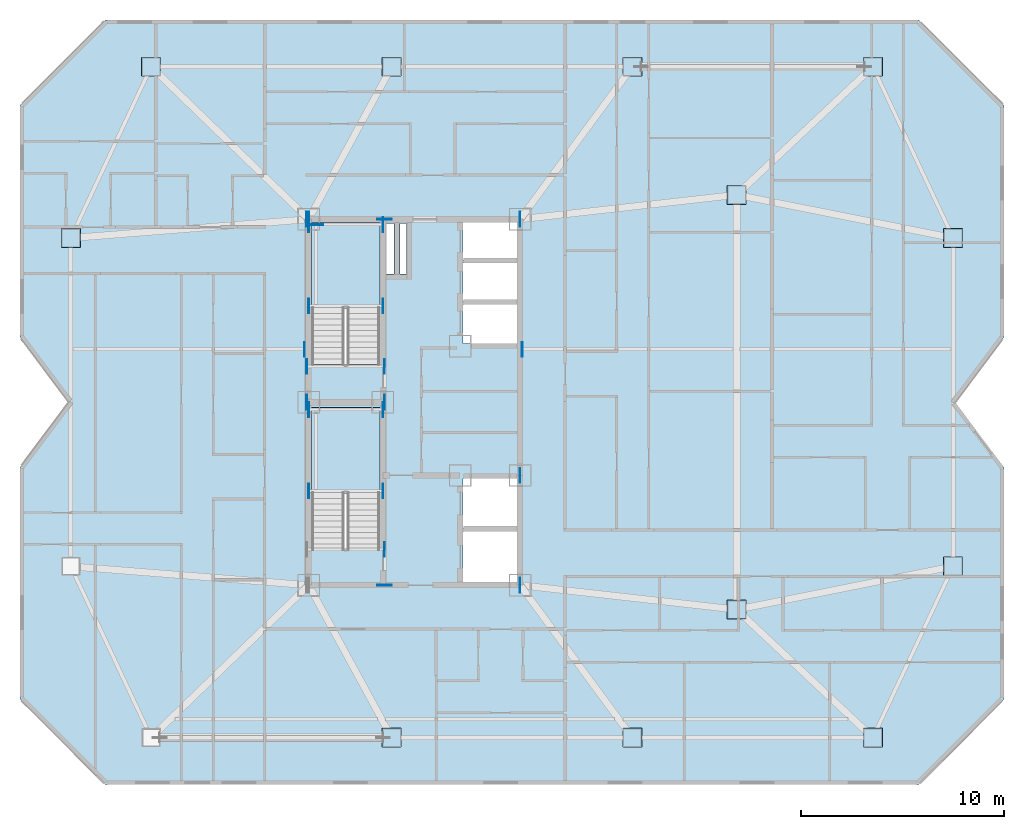
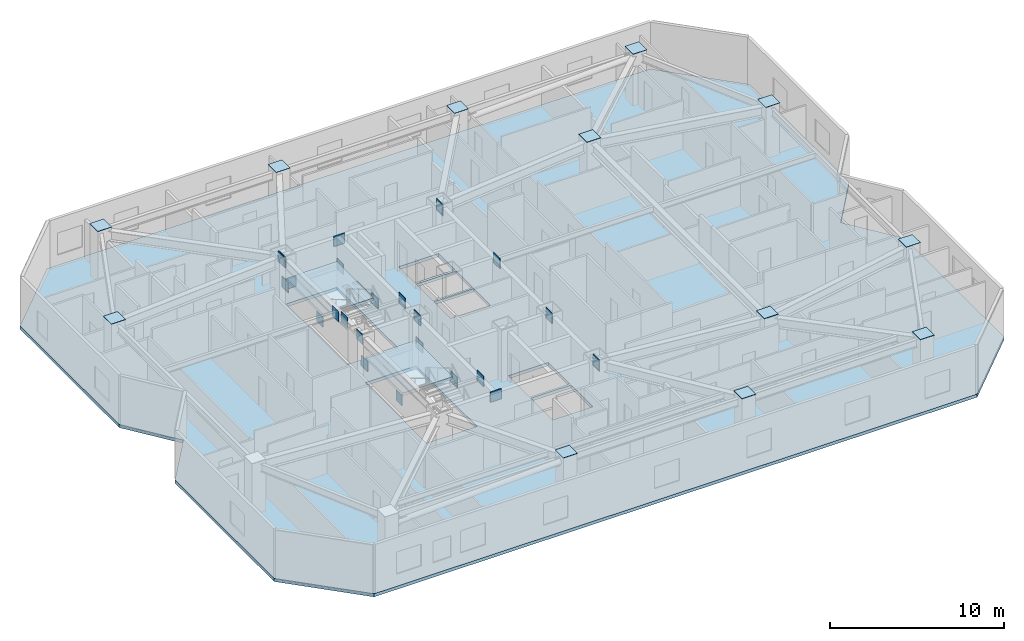
# One storey, part 2 of 13: 37 plates, 3 slabs, 2 elements without a shape of their own.
"""IFC4 building model written with IfcOpenShell, lengths in metres."""

from ifc_helpers import new_model, si_unit, direction, frame, origin, origin_2d, place, context, subcontext, project, spatial, polyline, rectangle, outline, extrude, material, layer, layer_set, type_object, element, aggregate, save


model = new_model("IFC4")

# Units and contexts
model_context = context("Model", 3, precision=1e-05, world=origin(), true_north=direction((0.0, 1.0)))
body_context = subcontext(model_context, "Body", "Model", "MODEL_VIEW")
ifc_project = project(units=[si_unit("LENGTHUNIT", "METRE"), si_unit("AREAUNIT", "SQUARE_METRE"), si_unit("VOLUMEUNIT", "CUBIC_METRE"), si_unit("PLANEANGLEUNIT", "RADIAN"), si_unit("MASSUNIT", "GRAM", prefix="KILO")], contexts=[model_context])

# Site, building, storey
site_placement = place(None, origin())
site = spatial("IfcSite", under=ifc_project, at=site_placement, CompositionType="ELEMENT")
building_placement = place(site_placement, origin())
building = spatial("IfcBuilding", under=site, at=building_placement, Name="Khamvora Tower", CompositionType="ELEMENT")
storey_placement = place(building_placement, frame((0.0, 0.0, 196.050048828125)))
storey = spatial("IfcBuildingStorey", under=building, at=storey_placement, Name="L50", CompositionType="ELEMENT", Elevation=196.050048828125)

# Plates
ifc_material_1 = material(Name="Steel S355", Category="steel")
ifc_layer_1 = layer(ifc_material_1, 0.02490234375)
ifc_layer_set_1 = layer_set([ifc_layer_1], Name="Steel S355")
plate_type_1 = type_object("IfcPlateType", Name="PL-CAP-25", PredefinedType="SHEET", material=ifc_layer_set_1)
for number, where, z_axis, x_axis, name in (
    (1, (33.080078125, 11.5, 3.62548828125), (0.0, 0.0, 1.0), (1.0, 0.0, 0.0), "L50 hollow section steel end cap plate 0192"),
    (2, (44.919921875, 11.5, 3.62548828125), (0.0, 0.0, 1.0), (1.0, 0.0, 0.0), "L50 hollow section steel end cap plate 0195"),
    (3, (56.75, 11.5, 3.62548828125), (0.0, 0.0, 1.0), (1.0, 0.0, 0.0), "L50 hollow section steel end cap plate 0198"),
    (4, (21.25, 44.5, 3.62548828125), (0.0, 0.0, 1.0), (1.0, 0.0, 0.0), "L50 hollow section steel end cap plate 0201"),
    (5, (33.080078125, 44.5, 3.62548828125), (0.0, 0.0, 1.0), (1.0, 0.0, 0.0), "L50 hollow section steel end cap plate 0204"),
    (6, (44.919921875, 44.5, 3.62548828125), (0.0, 0.0, 1.0), (1.0, 0.0, 0.0), "L50 hollow section steel end cap plate 0207"),
    (7, (56.75, 44.5, 3.62548828125), (0.0, 0.0, 1.0), (1.0, 0.0, 0.0), "L50 hollow section steel end cap plate 0210"),
    (8, (17.300048828125, 36.080078125, 3.62548828125), (0.0, 0.0, 1.0), (1.0, 0.0, 0.0), "L50 hollow section steel end cap plate 0216"),
    (9, (60.699951171875, 19.929931640625, 3.62548828125), (0.0, 0.0, 1.0), (1.0, 0.0, 0.0), "L50 hollow section steel end cap plate 0219"),
    (10, (60.699951171875, 36.080078125, 3.62548828125), (0.0, 0.0, 1.0), (1.0, 0.0, 0.0), "L50 hollow section steel end cap plate 0222"),
    (11, (50.050048828125, 17.800048828125, 3.62548828125), (0.0, 0.0, 1.0), (1.0, 0.0, 0.0), "L50 hollow section steel end cap plate 0225"),
    (12, (50.050048828125, 38.199951171875, 3.62548828125), (0.0, 0.0, 1.0), (1.0, 0.0, 0.0), "L50 hollow section steel end cap plate 0228"),
):
    element("IfcPlate", number, at=place(storey_placement, frame(where, z_axis=z_axis, x_axis=x_axis)), inside=storey, type_object=plate_type_1, Name=name, PredefinedType="SHEET", context=body_context, shape_type="SweptSolid", body=[
        extrude(rectangle(XDim=0.929931640625, YDim=0.929931640625, at=origin_2d()), origin(), (0.0, 0.0, 1.0), 0.02490234375),
    ])
ifc_material_2 = material(Name="Steel S460", Category="steel")
ifc_layer_2 = layer(ifc_material_2, 0.034912109375)
ifc_layer_set_2 = layer_set([ifc_layer_2], Name="Steel S460")
plate_type_2 = type_object("IfcPlateType", Name="PL-EMB-35", PredefinedType="SHEET", material=ifc_layer_set_2)
for number, where, z_axis, x_axis, name in (
    (13, (29.0, 23.635009765625, 1.1337890625), (0.0, 0.0, 1.0), (1.0, 0.0, 0.0), "L50 core shear wall cast-in embed plate 1450"),
    (14, (32.64990234375, 23.635009765625, 1.1337890625), (0.0, 0.0, 1.0), (1.0, 0.0, 0.0), "L50 core shear wall cast-in embed plate 1451"),
    (15, (29.0, 27.6298828125, 1.1337890625), (0.0, 0.0, 1.0), (1.0, 0.0, 0.0), "L50 core shear wall cast-in embed plate 1452"),
    (16, (32.64990234375, 27.6298828125, 1.1337890625), (0.0, 0.0, 1.0), (1.0, 0.0, 0.0), "L50 core shear wall cast-in embed plate 1453"),
    (17, (29.0, 32.735107421875, 1.1337890625), (0.0, 0.0, 1.0), (1.0, 0.0, 0.0), "L50 core shear wall cast-in embed plate 1454"),
    (18, (32.64990234375, 32.735107421875, 1.1337890625), (0.0, 0.0, 1.0), (1.0, 0.0, 0.0), "L50 core shear wall cast-in embed plate 1455"),
    (19, (29.0, 36.72998046875, 1.1337890625), (0.0, 0.0, 1.0), (1.0, 0.0, 0.0), "L50 core shear wall cast-in embed plate 1456"),
    (20, (32.64990234375, 36.72998046875, 1.1337890625), (0.0, 0.0, 1.0), (1.0, 0.0, 0.0), "L50 core shear wall cast-in embed plate 1457"),
):
    element("IfcPlate", number, at=place(storey_placement, frame(where, z_axis=z_axis, x_axis=x_axis)), inside=storey, type_object=plate_type_2, Name=name, PredefinedType="SHEET", context=body_context, shape_type="SweptSolid", body=[
        extrude(rectangle(XDim=0.034912109375, YDim=0.719970703125, at=origin_2d()), origin(), (0.0, 0.0, 1.0), 0.719970703125),
    ])
plate_1_placement = place(storey_placement, frame((29.35009765625, 36.72998046875, 1.1337890625), z_axis=(0.0, 0.0, 1.0), x_axis=(1.0, 0.0, 0.0)))
element("IfcPlate", 21, at=plate_1_placement, inside=storey, type_object=plate_type_2, Name="L50 core shear wall cast-in embed plate 1458", PredefinedType="SHEET", context=body_context, shape_type="SweptSolid", body=[
    extrude(rectangle(XDim=0.719970703125, YDim=0.034912109375, at=origin_2d()), origin(), (0.0, 0.0, 1.0), 0.719970703125),
])
for number, where, z_axis, x_axis, name in (
    (22, (39.39990234375, 19.0, 2.72216796875), (0.0, 0.0, 1.0), (1.0, 0.0, 0.0), "L50 core shear wall cast-in embed plate 1460"),
    (23, (29.0, 37.0, 2.72216796875), (0.0, 0.0, 1.0), (1.0, 0.0, 0.0), "L50 core shear wall cast-in embed plate 1461"),
    (24, (39.39990234375, 37.0, 2.72216796875), (0.0, 0.0, 1.0), (1.0, 0.0, 0.0), "L50 core shear wall cast-in embed plate 1462"),
    (25, (28.89990234375, 28.0, 2.802734375), (0.0, 0.0, 1.0), (1.0, 0.0, 0.0), "L50 core shear wall cast-in embed plate 1464"),
    (26, (28.89990234375, 37.0, 2.802734375), (0.0, 0.0, 1.0), (1.0, 0.0, 0.0), "L50 core shear wall cast-in embed plate 1465"),
):
    element("IfcPlate", number, at=place(storey_placement, frame(where, z_axis=z_axis, x_axis=x_axis)), inside=storey, type_object=plate_type_2, Name=name, PredefinedType="SHEET", context=body_context, shape_type="SweptSolid", body=[
        extrude(rectangle(XDim=0.034912109375, YDim=0.719970703125, at=origin_2d()), origin(), (0.0, 0.0, 1.0), 0.719970703125),
    ])
plate_2_placement = place(storey_placement, frame((32.72998046875, 19.0, 2.802734375), z_axis=(0.0, 0.0, 1.0), x_axis=(1.0, 0.0, 0.0)))
element("IfcPlate", 27, at=plate_2_placement, inside=storey, type_object=plate_type_2, Name="L50 core shear wall cast-in embed plate 1466", PredefinedType="SHEET", context=body_context, shape_type="SweptSolid", body=[
    extrude(rectangle(XDim=0.719970703125, YDim=0.034912109375, at=origin_2d()), origin(), (0.0, 0.0, 1.0), 0.719970703125),
])
plate_3_placement = place(storey_placement, frame((32.72998046875, 28.0, 2.802734375), z_axis=(0.0, 0.0, 1.0), x_axis=(1.0, 0.0, 0.0)))
element("IfcPlate", 28, at=plate_3_placement, inside=storey, type_object=plate_type_2, Name="L50 core shear wall cast-in embed plate 1467", PredefinedType="SHEET", context=body_context, shape_type="SweptSolid", body=[
    extrude(rectangle(XDim=0.034912109375, YDim=0.719970703125, at=origin_2d()), origin(), (0.0, 0.0, 1.0), 0.719970703125),
])
plate_4_placement = place(storey_placement, frame((32.72998046875, 37.0, 2.802734375), z_axis=(0.0, 0.0, 1.0), x_axis=(1.0, 0.0, 0.0)))
element("IfcPlate", 29, at=plate_4_placement, inside=storey, type_object=plate_type_2, Name="L50 core shear wall cast-in embed plate 1468", PredefinedType="SHEET", context=body_context, shape_type="SweptSolid", body=[
    extrude(rectangle(XDim=0.719970703125, YDim=0.034912109375, at=origin_2d()), origin(), (0.0, 0.0, 1.0), 0.719970703125),
])
for number, where, z_axis, x_axis, name in (
    (30, (39.39990234375, 19.0, 2.802734375), (0.0, 0.0, 1.0), (1.0, 0.0, 0.0), "L50 core shear wall cast-in embed plate 1469"),
    (31, (39.39990234375, 24.39990234375, 2.802734375), (0.0, 0.0, 1.0), (1.0, 0.0, 0.0), "L50 core shear wall cast-in embed plate 1470"),
    (32, (39.39990234375, 37.0, 2.802734375), (0.0, 0.0, 1.0), (1.0, 0.0, 0.0), "L50 core shear wall cast-in embed plate 1471"),
    (33, (32.72998046875, 20.75, 2.94384765625), (0.0, 0.0, 1.0), (1.0, 0.0, 0.0), "L50 core shear wall cast-in embed plate 1473"),
    (34, (28.89990234375, 29.75, 2.94384765625), (0.0, 0.0, 1.0), (1.0, 0.0, 0.0), "L50 core shear wall cast-in embed plate 1474"),
    (35, (32.72998046875, 29.75, 2.94384765625), (0.0, 0.0, 1.0), (1.0, 0.0, 0.0), "L50 core shear wall cast-in embed plate 1475"),
    (36, (28.800048828125, 30.60009765625, 2.86572265625), (0.0, 0.0, 1.0), (1.0, 0.0, 0.0), "L50 core shear wall cast-in embed plate 1476"),
    (37, (39.4990234375, 30.60009765625, 2.86572265625), (0.0, 0.0, 1.0), (1.0, 0.0, 0.0), "L50 core shear wall cast-in embed plate 1477"),
):
    element("IfcPlate", number, at=place(storey_placement, frame(where, z_axis=z_axis, x_axis=x_axis)), inside=storey, type_object=plate_type_2, Name=name, PredefinedType="SHEET", context=body_context, shape_type="SweptSolid", body=[
        extrude(rectangle(XDim=0.034912109375, YDim=0.719970703125, at=origin_2d()), origin(), (0.0, 0.0, 1.0), 0.719970703125),
    ])

# Stair, slab
ifc_material_3 = material(Name="Concrete C40/50", Category="concrete")
stair_type_1 = type_object("IfcStairType", Name="STR-ST-01", PredefinedType="HALF_TURN_STAIR", material=ifc_material_3)
stair_1_placement = place(storey_placement, origin())
stair_1 = element("IfcStair", 38, at=stair_1_placement, inside=storey, type_object=stair_type_1, Name="L50 South Tower Exit Stair ST-01", PredefinedType="HALF_TURN_STAIR")
ifc_layer_3 = layer(ifc_material_3, 0.199951171875)
ifc_layer_set_3 = layer_set([ifc_layer_3], Name="Concrete C40/50")
slab_type_1 = type_object("IfcSlabType", Name="SLB-LND-200", PredefinedType="LANDING", material=ifc_layer_set_3)
slab_1_placement = place(storey_placement, frame((0.0, 0.0, 1.625)))
slab_1 = element("IfcSlab", 39, at=slab_1_placement, type_object=slab_type_1, Name="ST-01 landing 1", PredefinedType="LANDING", context=body_context, shape_type="SweptSolid", body=[
    extrude(outline(polyline([(32.5, 23.514892578125), (32.5, 27.75), (29.14990234375, 27.75), (29.14990234375, 23.514892578125), (32.5, 23.514892578125)])), origin(), (0.0, 0.0, 1.0), 0.199951171875),
])
aggregate(stair_1, [slab_1])

stair_type_2 = type_object("IfcStairType", Name="STR-ST-02", PredefinedType="HALF_TURN_STAIR", material=ifc_material_3)
stair_2_placement = place(storey_placement, origin())
stair_2 = element("IfcStair", 40, at=stair_2_placement, inside=storey, type_object=stair_type_2, Name="L50 North Tower Exit Stair ST-02", PredefinedType="HALF_TURN_STAIR")
slab_2_placement = place(storey_placement, frame((0.0, 0.0, 1.625)))
slab_2 = element("IfcSlab", 41, at=slab_2_placement, type_object=slab_type_1, Name="ST-02 landing 1", PredefinedType="LANDING", context=body_context, shape_type="SweptSolid", body=[
    extrude(outline(polyline([(32.5, 32.614990234375), (32.5, 36.85009765625), (29.14990234375, 36.85009765625), (29.14990234375, 32.614990234375), (32.5, 32.614990234375)])), origin(), (0.0, 0.0, 1.0), 0.199951171875),
])
aggregate(stair_2, [slab_2])

# Slab
ifc_material_4 = material(Name="Concrete C35/45", Category="concrete")
ifc_layer_4 = layer(ifc_material_4, 0.219970703125)
ifc_layer_set_4 = layer_set([ifc_layer_4], Name="Concrete C35/45")
slab_type_2 = type_object("IfcSlabType", Name="SLB-TYP-220", PredefinedType="FLOOR", material=ifc_layer_set_4)
slab_3_placement = place(storey_placement, frame((0.0, 0.0, -0.219970703125)))
element("IfcSlab", 42, at=slab_3_placement, inside=storey, type_object=slab_type_2, Name="L50 structural floor slab", PredefinedType="FLOOR", context=body_context, shape_type="SweptSolid", body=[
    extrude(outline(polyline([(19.0, 9.199951171875), (59.0, 9.199951171875), (63.199951171875, 13.39990234375), (63.199951171875, 24.800048828125), (60.800048828125, 28.0), (63.199951171875, 31.199951171875), (63.199951171875, 42.60009765625), (59.0, 46.800048828125), (19.0, 46.800048828125), (14.800048828125, 42.60009765625), (14.800048828125, 31.199951171875), (17.199951171875, 28.0), (14.800048828125, 24.800048828125), (14.800048828125, 13.39990234375), (19.0, 9.199951171875)]), holes=[polyline([(32.5, 20.760009765625), (32.5, 27.75), (29.14990234375, 27.75), (29.14990234375, 20.760009765625), (32.5, 20.760009765625)]), polyline([(32.5, 29.860107421875), (32.5, 36.85009765625), (29.14990234375, 36.85009765625), (29.14990234375, 29.860107421875), (32.5, 29.860107421875)]), polyline([(36.60009765625, 19.14990234375), (39.25, 19.14990234375), (39.25, 21.64990234375), (36.60009765625, 21.64990234375), (36.60009765625, 19.14990234375)]), polyline([(36.60009765625, 21.800048828125), (39.25, 21.800048828125), (39.25, 24.25), (36.60009765625, 24.25), (36.60009765625, 21.800048828125)]), polyline([(36.60009765625, 30.89990234375), (39.25, 30.89990234375), (39.25, 32.800048828125), (36.60009765625, 32.800048828125), (36.60009765625, 30.89990234375)]), polyline([(36.60009765625, 32.949951171875), (39.25, 32.949951171875), (39.25, 34.85009765625), (36.60009765625, 34.85009765625), (36.60009765625, 32.949951171875)]), polyline([(36.60009765625, 35.0), (39.25, 35.0), (39.25, 36.85009765625), (36.60009765625, 36.85009765625), (36.60009765625, 35.0)]), polyline([(32.800048828125, 34.300048828125), (33.199951171875, 34.300048828125), (33.199951171875, 36.800048828125), (32.800048828125, 36.800048828125), (32.800048828125, 34.300048828125)]), polyline([(33.47998046875, 34.300048828125), (33.820068359375, 34.300048828125), (33.820068359375, 36.800048828125), (33.47998046875, 36.800048828125), (33.47998046875, 34.300048828125)])]), origin(), (0.0, 0.0, 1.0), 0.219970703125),
])

save(model, "model.ifc")
